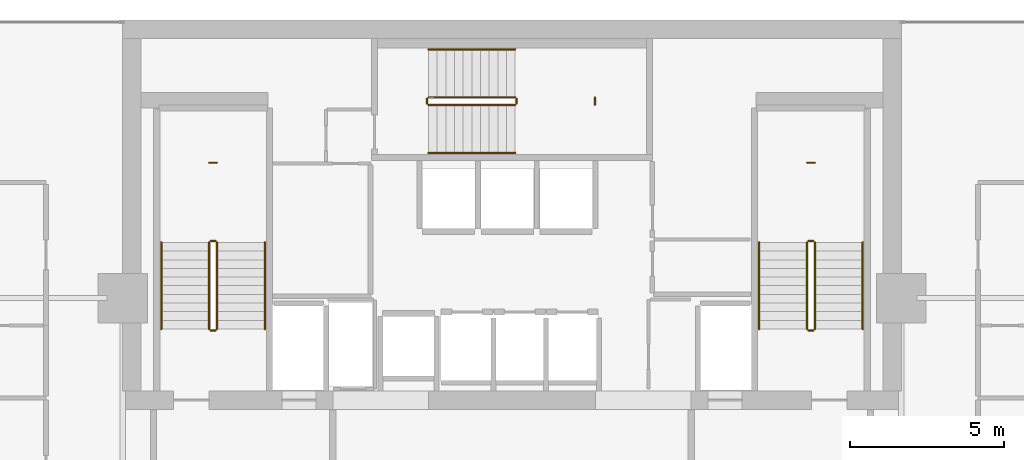
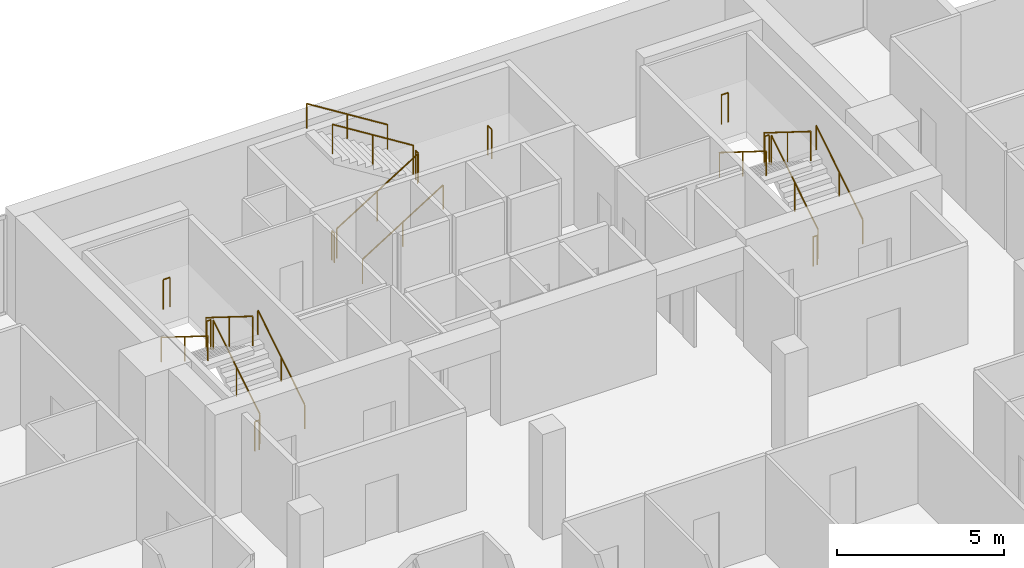
# One storey, part 25 of 25: 21 railings.
"""IFC4 building model written with IfcOpenShell, lengths in metres."""

from ifc_helpers import new_model, si_unit, direction, frame, origin, origin_2d, place, context, subcontext, project, spatial, circle, extrude, material, type_object, element, save


model = new_model("IFC4")

# Units and contexts
model_context = context("Model", 3, precision=1e-05, world=origin(), true_north=direction((0.0, 1.0)))
body_context = subcontext(model_context, "Body", "Model", "MODEL_VIEW")
ifc_project = project(units=[si_unit("LENGTHUNIT", "METRE"), si_unit("AREAUNIT", "SQUARE_METRE"), si_unit("VOLUMEUNIT", "CUBIC_METRE"), si_unit("PLANEANGLEUNIT", "RADIAN"), si_unit("MASSUNIT", "GRAM", prefix="KILO")], contexts=[model_context])

# Site, building, storey
site_placement = place(None, origin())
site = spatial("IfcSite", under=ifc_project, at=site_placement, CompositionType="ELEMENT")
building_placement = place(site_placement, origin())
building = spatial("IfcBuilding", under=site, at=building_placement, Name="Maruvema Waterfront Hotel and Observation Tower", CompositionType="ELEMENT")
storey_placement = place(building_placement, frame((0.0, 0.0, 297.14990234375)))
storey = spatial("IfcBuildingStorey", under=building, at=storey_placement, Name="L73", CompositionType="ELEMENT", Elevation=297.14990234375)

# Railings
ifc_material_1 = material(Name="Brushed stainless steel Grade 316", Category="steel")
railing_type_1 = type_object("IfcRailingType", Name="Ramp Continuous Wall Handrail 920 mm", PredefinedType="HANDRAIL", material=ifc_material_1)
railing_1_placement = place(storey_placement, frame((29.800048828125, 44.0, 0.175048828125)))
element("IfcRailing", 1, at=railing_1_placement, inside=storey, type_object=railing_type_1, Name="L73 ST-01 stair handrail 1", PredefinedType="HANDRAIL", context=body_context, shape_type="SweptSolid", body=[
    extrude(circle(Radius=0.02392578125, at=origin_2d()), frame((0.0, 0.0, 0.89599609375), z_axis=(0.0, 0.848002457836, 0.529992293815), x_axis=(-1.0, 0.0, 0.0)), (0.0, 0.0, 1.0), 3.302001953125),
    extrude(circle(Radius=0.02099609375, at=origin_2d()), origin(), (0.0, 0.0, 1.0), 0.871826171875),
    extrude(circle(Radius=0.02099609375, at=origin_2d()), frame((0.0, 1.39990234375, 0.875)), (0.0, 0.0, 1.0), 0.871826171875),
    extrude(circle(Radius=0.02099609375, at=origin_2d()), frame((0.0, 2.800048828125, 1.75)), (0.0, 0.0, 1.0), 0.871826171875),
])
railing_2_placement = place(storey_placement, frame((26.449951171875, 46.800048828125, 2.10009765625)))
element("IfcRailing", 2, at=railing_2_placement, inside=storey, type_object=railing_type_1, Name="L73 ST-01 stair handrail 2", PredefinedType="HANDRAIL", context=body_context, shape_type="SweptSolid", body=[
    extrude(circle(Radius=0.02392578125, at=origin_2d()), frame((0.0, 0.0, 0.89599609375), z_axis=(0.0, -0.848002457836, 0.529992293815), x_axis=(1.0, 0.0, 0.0)), (0.0, 0.0, 1.0), 3.302001953125),
    extrude(circle(Radius=0.02099609375, at=origin_2d()), origin(), (0.0, 0.0, 1.0), 0.871826171875),
    extrude(circle(Radius=0.02099609375, at=origin_2d()), frame((0.0, -1.39990234375, 0.875)), (0.0, 0.0, 1.0), 0.871826171875),
    extrude(circle(Radius=0.02099609375, at=origin_2d()), frame((0.0, -2.800048828125, 1.75)), (0.0, 0.0, 1.0), 0.871826171875),
])
railing_3_placement = place(storey_placement, frame((35.10009765625, 49.699951171875, 0.175048828125)))
element("IfcRailing", 3, at=railing_3_placement, inside=storey, type_object=railing_type_1, Name="L73 ST-02 stair handrail 1", PredefinedType="HANDRAIL", context=body_context, shape_type="SweptSolid", body=[
    extrude(circle(Radius=0.02392578125, at=origin_2d()), frame((0.0, 0.0, 0.89599609375), z_axis=(0.847981687118, 0.0, 0.530025526095), x_axis=(0.0, 1.0, 0.0)), (0.0, 0.0, 1.0), 3.3017578125),
    extrude(circle(Radius=0.02099609375, at=origin_2d()), origin(), (0.0, 0.0, 1.0), 0.871826171875),
    extrude(circle(Radius=0.02099609375, at=origin_2d()), frame((1.39990234375, 0.0, 0.875)), (0.0, 0.0, 1.0), 0.871826171875),
    extrude(circle(Radius=0.02099609375, at=origin_2d()), frame((2.7998046875, 0.0, 1.75)), (0.0, 0.0, 1.0), 0.871826171875),
])
railing_4_placement = place(storey_placement, frame((37.89990234375, 53.050048828125, 2.10009765625)))
element("IfcRailing", 4, at=railing_4_placement, inside=storey, type_object=railing_type_1, Name="L73 ST-02 stair handrail 2", PredefinedType="HANDRAIL", context=body_context, shape_type="SweptSolid", body=[
    extrude(circle(Radius=0.02392578125, at=origin_2d()), frame((0.0, 0.0, 0.89599609375), z_axis=(-0.847981687118, 0.0, 0.530025526095), x_axis=(0.0, -1.0, 0.0)), (0.0, 0.0, 1.0), 3.3017578125),
    extrude(circle(Radius=0.02099609375, at=origin_2d()), origin(), (0.0, 0.0, 1.0), 0.871826171875),
    extrude(circle(Radius=0.02099609375, at=origin_2d()), frame((-1.39990234375, 0.0, 0.875)), (0.0, 0.0, 1.0), 0.871826171875),
    extrude(circle(Radius=0.02099609375, at=origin_2d()), frame((-2.7998046875, 0.0, 1.75)), (0.0, 0.0, 1.0), 0.871826171875),
])
railing_5_placement = place(storey_placement, frame((49.14990234375, 44.0, 0.175048828125)))
element("IfcRailing", 5, at=railing_5_placement, inside=storey, type_object=railing_type_1, Name="L73 ST-03 stair handrail 1", PredefinedType="HANDRAIL", context=body_context, shape_type="SweptSolid", body=[
    extrude(circle(Radius=0.02392578125, at=origin_2d()), frame((0.0, 0.0, 0.89599609375), z_axis=(0.0, 0.848002457836, 0.529992293815), x_axis=(-1.0, 0.0, 0.0)), (0.0, 0.0, 1.0), 3.302001953125),
    extrude(circle(Radius=0.02099609375, at=origin_2d()), origin(), (0.0, 0.0, 1.0), 0.871826171875),
    extrude(circle(Radius=0.02099609375, at=origin_2d()), frame((0.0, 1.39990234375, 0.875)), (0.0, 0.0, 1.0), 0.871826171875),
    extrude(circle(Radius=0.02099609375, at=origin_2d()), frame((0.0, 2.800048828125, 1.75)), (0.0, 0.0, 1.0), 0.871826171875),
])
railing_6_placement = place(storey_placement, frame((45.800048828125, 46.800048828125, 2.10009765625)))
element("IfcRailing", 6, at=railing_6_placement, inside=storey, type_object=railing_type_1, Name="L73 ST-03 stair handrail 2", PredefinedType="HANDRAIL", context=body_context, shape_type="SweptSolid", body=[
    extrude(circle(Radius=0.02392578125, at=origin_2d()), frame((0.0, 0.0, 0.89599609375), z_axis=(0.0, -0.848002457836, 0.529992293815), x_axis=(1.0, 0.0, 0.0)), (0.0, 0.0, 1.0), 3.302001953125),
    extrude(circle(Radius=0.02099609375, at=origin_2d()), origin(), (0.0, 0.0, 1.0), 0.871826171875),
    extrude(circle(Radius=0.02099609375, at=origin_2d()), frame((0.0, -1.39990234375, 0.875)), (0.0, 0.0, 1.0), 0.871826171875),
    extrude(circle(Radius=0.02099609375, at=origin_2d()), frame((0.0, -2.800048828125, 1.75)), (0.0, 0.0, 1.0), 0.871826171875),
])
ifc_material_2 = material(Name="Brushed stainless steel Grade 316", Category="steel")
railing_type_2 = type_object("IfcRailingType", Name="Ramp and Terrace Guard Balustrade 1100 mm", PredefinedType="BALUSTRADE", material=ifc_material_2)
railing_7_placement = place(storey_placement, frame((28.25, 44.0, 0.175048828125)))
element("IfcRailing", 7, at=railing_7_placement, inside=storey, type_object=railing_type_2, Name="L73 ST-01 stair guard 1", PredefinedType="BALUSTRADE", context=body_context, shape_type="SweptSolid", body=[
    extrude(circle(Radius=0.02392578125, at=origin_2d()), frame((0.0, 0.0, 1.076171875), z_axis=(0.0, 0.848002457836, 0.529992293815), x_axis=(-1.0, 0.0, 0.0)), (0.0, 0.0, 1.0), 3.302001953125),
    extrude(circle(Radius=0.02099609375, at=origin_2d()), origin(), (0.0, 0.0, 1.0), 1.052001953125),
    extrude(circle(Radius=0.02099609375, at=origin_2d()), frame((0.0, 1.39990234375, 0.875)), (0.0, 0.0, 1.0), 1.052001953125),
    extrude(circle(Radius=0.02099609375, at=origin_2d()), frame((0.0, 2.800048828125, 1.75)), (0.0, 0.0, 1.0), 1.052001953125),
])
railing_8_placement = place(storey_placement, frame((28.199951171875, 46.85009765625, 1.925048828125)))
element("IfcRailing", 8, at=railing_8_placement, inside=storey, type_object=railing_type_2, Name="L73 ST-01 stair guard 2", PredefinedType="BALUSTRADE", context=body_context, shape_type="SweptSolid", body=[
    extrude(circle(Radius=0.02392578125, at=origin_2d()), frame((0.0, 0.0, 1.076171875), z_axis=(-1.0, 0.0, 0.0), x_axis=(0.0, -1.0, 0.0)), (0.0, 0.0, 1.0), 0.14990234375),
    extrude(circle(Radius=0.02099609375, at=origin_2d()), origin(), (0.0, 0.0, 1.0), 1.052001953125),
    extrude(circle(Radius=0.02099609375, at=origin_2d()), frame((-0.14990234375, 0.0, 0.0)), (0.0, 0.0, 1.0), 1.052001953125),
])
railing_9_placement = place(storey_placement, frame((28.0, 46.800048828125, 2.10009765625)))
element("IfcRailing", 9, at=railing_9_placement, inside=storey, type_object=railing_type_2, Name="L73 ST-01 stair guard 3", PredefinedType="BALUSTRADE", context=body_context, shape_type="SweptSolid", body=[
    extrude(circle(Radius=0.02392578125, at=origin_2d()), frame((0.0, 0.0, 1.076171875), z_axis=(0.0, -0.848002457836, 0.529992293815), x_axis=(1.0, 0.0, 0.0)), (0.0, 0.0, 1.0), 3.302001953125),
    extrude(circle(Radius=0.02099609375, at=origin_2d()), origin(), (0.0, 0.0, 1.0), 1.052001953125),
    extrude(circle(Radius=0.02099609375, at=origin_2d()), frame((0.0, -1.39990234375, 0.875)), (0.0, 0.0, 1.0), 1.052001953125),
    extrude(circle(Radius=0.02099609375, at=origin_2d()), frame((0.0, -2.800048828125, 1.75)), (0.0, 0.0, 1.0), 1.052001953125),
])
railing_10_placement = place(storey_placement, frame((28.199951171875, 43.949951171875, 0.0)))
element("IfcRailing", 10, at=railing_10_placement, inside=storey, type_object=railing_type_2, Name="L73 ST-01 stair guard 4", PredefinedType="BALUSTRADE", context=body_context, shape_type="SweptSolid", body=[
    extrude(circle(Radius=0.02392578125, at=origin_2d()), frame((0.0, 0.0, 1.076171875), z_axis=(-1.0, 0.0, 0.0), x_axis=(0.0, -1.0, 0.0)), (0.0, 0.0, 1.0), 0.14990234375),
    extrude(circle(Radius=0.02099609375, at=origin_2d()), origin(), (0.0, 0.0, 1.0), 1.052001953125),
    extrude(circle(Radius=0.02099609375, at=origin_2d()), frame((-0.14990234375, 0.0, 0.0)), (0.0, 0.0, 1.0), 1.052001953125),
])
railing_11_placement = place(storey_placement, frame((28.239990234375, 49.3798828125, 1.925048828125)))
element("IfcRailing", 11, at=railing_11_placement, inside=storey, type_object=railing_type_2, Name="L73 ST-01 Half-Landing Slot Guard", PredefinedType="BALUSTRADE", context=body_context, shape_type="SweptSolid", body=[
    extrude(circle(Radius=0.02392578125, at=origin_2d()), frame((0.0, 0.0, 1.076171875), z_axis=(-1.0, 0.0, 0.0), x_axis=(0.0, -1.0, 0.0)), (0.0, 0.0, 1.0), 0.22998046875),
    extrude(circle(Radius=0.02099609375, at=origin_2d()), origin(), (0.0, 0.0, 1.0), 1.052001953125),
    extrude(circle(Radius=0.02099609375, at=origin_2d()), frame((-0.22998046875, 0.0, 0.0)), (0.0, 0.0, 1.0), 1.052001953125),
])
railing_12_placement = place(storey_placement, frame((35.10009765625, 51.25, 0.175048828125)))
element("IfcRailing", 12, at=railing_12_placement, inside=storey, type_object=railing_type_2, Name="L73 ST-02 stair guard 1", PredefinedType="BALUSTRADE", context=body_context, shape_type="SweptSolid", body=[
    extrude(circle(Radius=0.02392578125, at=origin_2d()), frame((0.0, 0.0, 1.076171875), z_axis=(0.847981687118, 0.0, 0.530025526095), x_axis=(0.0, 1.0, 0.0)), (0.0, 0.0, 1.0), 3.3017578125),
    extrude(circle(Radius=0.02099609375, at=origin_2d()), origin(), (0.0, 0.0, 1.0), 1.052001953125),
    extrude(circle(Radius=0.02099609375, at=origin_2d()), frame((1.39990234375, 0.0, 0.875)), (0.0, 0.0, 1.0), 1.052001953125),
    extrude(circle(Radius=0.02099609375, at=origin_2d()), frame((2.7998046875, 0.0, 1.75)), (0.0, 0.0, 1.0), 1.052001953125),
])
railing_13_placement = place(storey_placement, frame((37.949951171875, 51.300048828125, 1.925048828125)))
element("IfcRailing", 13, at=railing_13_placement, inside=storey, type_object=railing_type_2, Name="L73 ST-02 stair guard 2", PredefinedType="BALUSTRADE", context=body_context, shape_type="SweptSolid", body=[
    extrude(circle(Radius=0.02392578125, at=origin_2d()), frame((0.0, 0.0, 1.076171875), z_axis=(0.0, 1.0, 0.0), x_axis=(-1.0, 0.0, 0.0)), (0.0, 0.0, 1.0), 0.14990234375),
    extrude(circle(Radius=0.02099609375, at=origin_2d()), origin(), (0.0, 0.0, 1.0), 1.052001953125),
    extrude(circle(Radius=0.02099609375, at=origin_2d()), frame((0.0, 0.14990234375, 0.0)), (0.0, 0.0, 1.0), 1.052001953125),
])
railing_14_placement = place(storey_placement, frame((37.89990234375, 51.5, 2.10009765625)))
element("IfcRailing", 14, at=railing_14_placement, inside=storey, type_object=railing_type_2, Name="L73 ST-02 stair guard 3", PredefinedType="BALUSTRADE", context=body_context, shape_type="SweptSolid", body=[
    extrude(circle(Radius=0.02392578125, at=origin_2d()), frame((0.0, 0.0, 1.076171875), z_axis=(-0.847981687118, 0.0, 0.530025526095), x_axis=(0.0, -1.0, 0.0)), (0.0, 0.0, 1.0), 3.3017578125),
    extrude(circle(Radius=0.02099609375, at=origin_2d()), origin(), (0.0, 0.0, 1.0), 1.052001953125),
    extrude(circle(Radius=0.02099609375, at=origin_2d()), frame((-1.39990234375, 0.0, 0.875)), (0.0, 0.0, 1.0), 1.052001953125),
    extrude(circle(Radius=0.02099609375, at=origin_2d()), frame((-2.7998046875, 0.0, 1.75)), (0.0, 0.0, 1.0), 1.052001953125),
])
railing_15_placement = place(storey_placement, frame((35.050048828125, 51.300048828125, 0.0)))
element("IfcRailing", 15, at=railing_15_placement, inside=storey, type_object=railing_type_2, Name="L73 ST-02 stair guard 4", PredefinedType="BALUSTRADE", context=body_context, shape_type="SweptSolid", body=[
    extrude(circle(Radius=0.02392578125, at=origin_2d()), frame((0.0, 0.0, 1.076171875), z_axis=(0.0, 1.0, 0.0), x_axis=(-1.0, 0.0, 0.0)), (0.0, 0.0, 1.0), 0.14990234375),
    extrude(circle(Radius=0.02099609375, at=origin_2d()), origin(), (0.0, 0.0, 1.0), 1.052001953125),
    extrude(circle(Radius=0.02099609375, at=origin_2d()), frame((0.0, 0.14990234375, 0.0)), (0.0, 0.0, 1.0), 1.052001953125),
])
railing_16_placement = place(storey_placement, frame((40.47998046875, 51.260009765625, 1.925048828125)))
element("IfcRailing", 16, at=railing_16_placement, inside=storey, type_object=railing_type_2, Name="L73 ST-02 Half-Landing Slot Guard", PredefinedType="BALUSTRADE", context=body_context, shape_type="SweptSolid", body=[
    extrude(circle(Radius=0.02392578125, at=origin_2d()), frame((0.0, 0.0, 1.076171875), z_axis=(0.0, 1.0, 0.0), x_axis=(-1.0, 0.0, 0.0)), (0.0, 0.0, 1.0), 0.22998046875),
    extrude(circle(Radius=0.02099609375, at=origin_2d()), origin(), (0.0, 0.0, 1.0), 1.052001953125),
    extrude(circle(Radius=0.02099609375, at=origin_2d()), frame((0.0, 0.22998046875, 0.0)), (0.0, 0.0, 1.0), 1.052001953125),
])
railing_17_placement = place(storey_placement, frame((47.60009765625, 44.0, 0.175048828125)))
element("IfcRailing", 17, at=railing_17_placement, inside=storey, type_object=railing_type_2, Name="L73 ST-03 stair guard 1", PredefinedType="BALUSTRADE", context=body_context, shape_type="SweptSolid", body=[
    extrude(circle(Radius=0.02392578125, at=origin_2d()), frame((0.0, 0.0, 1.076171875), z_axis=(0.0, 0.848002457836, 0.529992293815), x_axis=(-1.0, 0.0, 0.0)), (0.0, 0.0, 1.0), 3.302001953125),
    extrude(circle(Radius=0.02099609375, at=origin_2d()), origin(), (0.0, 0.0, 1.0), 1.052001953125),
    extrude(circle(Radius=0.02099609375, at=origin_2d()), frame((0.0, 1.39990234375, 0.875)), (0.0, 0.0, 1.0), 1.052001953125),
    extrude(circle(Radius=0.02099609375, at=origin_2d()), frame((0.0, 2.800048828125, 1.75)), (0.0, 0.0, 1.0), 1.052001953125),
])
railing_18_placement = place(storey_placement, frame((47.550048828125, 46.85009765625, 1.925048828125)))
element("IfcRailing", 18, at=railing_18_placement, inside=storey, type_object=railing_type_2, Name="L73 ST-03 stair guard 2", PredefinedType="BALUSTRADE", context=body_context, shape_type="SweptSolid", body=[
    extrude(circle(Radius=0.02392578125, at=origin_2d()), frame((0.0, 0.0, 1.076171875), z_axis=(-1.0, 0.0, 0.0), x_axis=(0.0, -1.0, 0.0)), (0.0, 0.0, 1.0), 0.150146484375),
    extrude(circle(Radius=0.02099609375, at=origin_2d()), origin(), (0.0, 0.0, 1.0), 1.052001953125),
    extrude(circle(Radius=0.02099609375, at=origin_2d()), frame((-0.150146484375, 0.0, 0.0)), (0.0, 0.0, 1.0), 1.052001953125),
])
railing_19_placement = place(storey_placement, frame((47.35009765625, 46.800048828125, 2.10009765625)))
element("IfcRailing", 19, at=railing_19_placement, inside=storey, type_object=railing_type_2, Name="L73 ST-03 stair guard 3", PredefinedType="BALUSTRADE", context=body_context, shape_type="SweptSolid", body=[
    extrude(circle(Radius=0.02392578125, at=origin_2d()), frame((0.0, 0.0, 1.076171875), z_axis=(0.0, -0.848002457836, 0.529992293815), x_axis=(1.0, 0.0, 0.0)), (0.0, 0.0, 1.0), 3.302001953125),
    extrude(circle(Radius=0.02099609375, at=origin_2d()), origin(), (0.0, 0.0, 1.0), 1.052001953125),
    extrude(circle(Radius=0.02099609375, at=origin_2d()), frame((0.0, -1.39990234375, 0.875)), (0.0, 0.0, 1.0), 1.052001953125),
    extrude(circle(Radius=0.02099609375, at=origin_2d()), frame((0.0, -2.800048828125, 1.75)), (0.0, 0.0, 1.0), 1.052001953125),
])
railing_20_placement = place(storey_placement, frame((47.550048828125, 43.949951171875, 0.0)))
element("IfcRailing", 20, at=railing_20_placement, inside=storey, type_object=railing_type_2, Name="L73 ST-03 stair guard 4", PredefinedType="BALUSTRADE", context=body_context, shape_type="SweptSolid", body=[
    extrude(circle(Radius=0.02392578125, at=origin_2d()), frame((0.0, 0.0, 1.076171875), z_axis=(-1.0, 0.0, 0.0), x_axis=(0.0, -1.0, 0.0)), (0.0, 0.0, 1.0), 0.150146484375),
    extrude(circle(Radius=0.02099609375, at=origin_2d()), origin(), (0.0, 0.0, 1.0), 1.052001953125),
    extrude(circle(Radius=0.02099609375, at=origin_2d()), frame((-0.150146484375, 0.0, 0.0)), (0.0, 0.0, 1.0), 1.052001953125),
])
railing_21_placement = place(storey_placement, frame((47.590087890625, 49.3798828125, 1.925048828125)))
element("IfcRailing", 21, at=railing_21_placement, inside=storey, type_object=railing_type_2, Name="L73 ST-03 Half-Landing Slot Guard", PredefinedType="BALUSTRADE", context=body_context, shape_type="SweptSolid", body=[
    extrude(circle(Radius=0.02392578125, at=origin_2d()), frame((0.0, 0.0, 1.076171875), z_axis=(-1.0, 0.0, 0.0), x_axis=(0.0, -1.0, 0.0)), (0.0, 0.0, 1.0), 0.22998046875),
    extrude(circle(Radius=0.02099609375, at=origin_2d()), origin(), (0.0, 0.0, 1.0), 1.052001953125),
    extrude(circle(Radius=0.02099609375, at=origin_2d()), frame((-0.22998046875, 0.0, 0.0)), (0.0, 0.0, 1.0), 1.052001953125),
])

save(model, "model.ifc")
